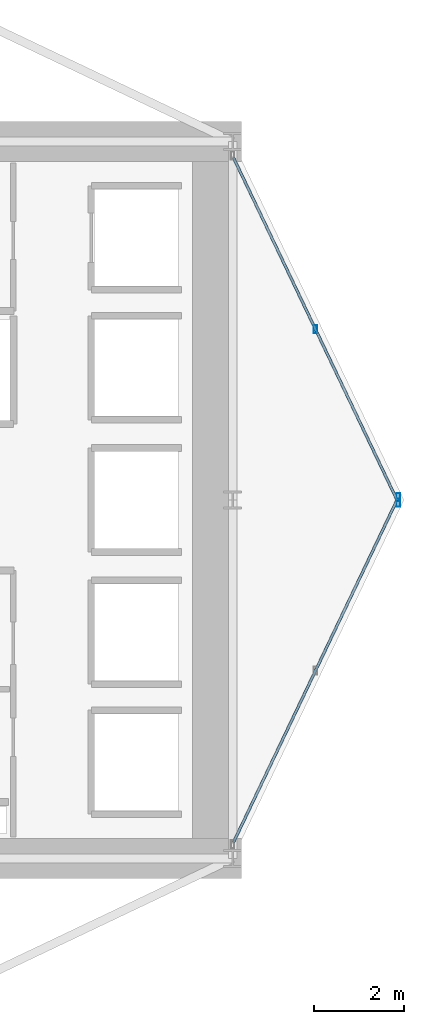
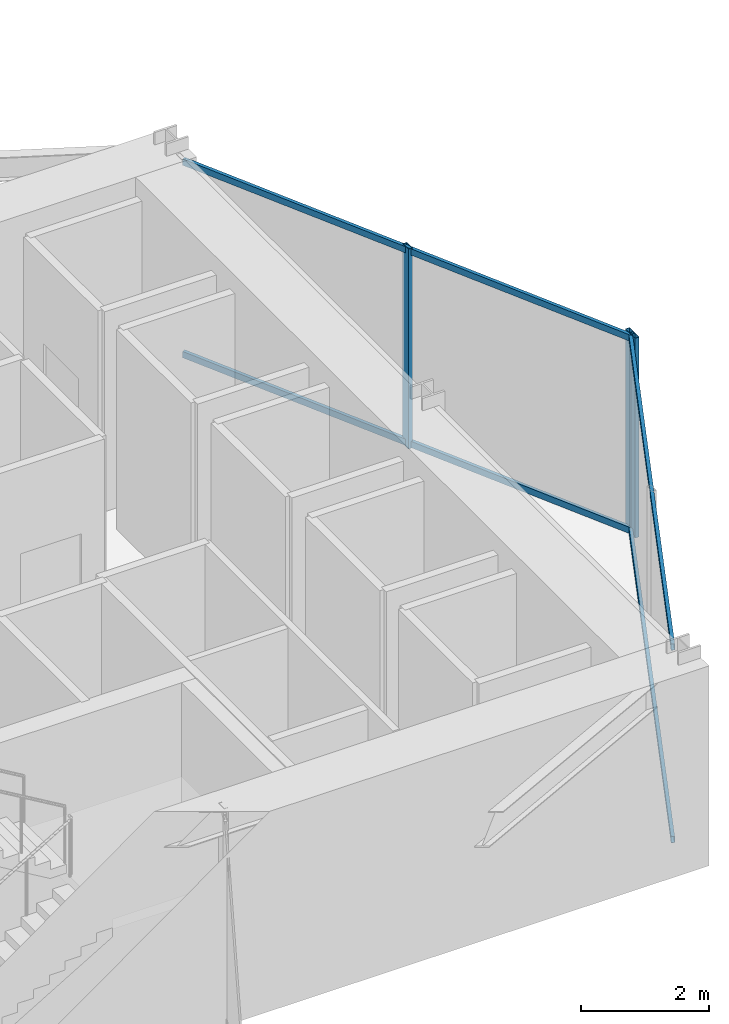
# One storey, part 15 of 24: 7 members, 2 elements without a shape of their own.
"""IFC4 building model written with IfcOpenShell, lengths in metres."""

from ifc_helpers import new_model, si_unit, direction, frame, origin, origin_2d, place, context, subcontext, project, spatial, hollow_rectangle, extrude, material, layer, layer_set, material_profile, profile_set, type_object, element, aggregate, save


model = new_model("IFC4")

# Units and contexts
model_context = context("Model", 3, precision=1e-05, world=origin(), true_north=direction((0.0, 1.0)))
body_context = subcontext(model_context, "Body", "Model", "MODEL_VIEW")
ifc_project = project(units=[si_unit("LENGTHUNIT", "METRE"), si_unit("AREAUNIT", "SQUARE_METRE"), si_unit("VOLUMEUNIT", "CUBIC_METRE"), si_unit("PLANEANGLEUNIT", "RADIAN"), si_unit("MASSUNIT", "GRAM", prefix="KILO")], contexts=[model_context])

# Site, building, storey
site_placement = place(None, origin())
site = spatial("IfcSite", under=ifc_project, at=site_placement, CompositionType="ELEMENT")
building_placement = place(site_placement, origin())
building = spatial("IfcBuilding", under=site, at=building_placement, Name="Veymaron Broadcast Tower", CompositionType="ELEMENT")
storey_placement = place(building_placement, frame((0.0, 0.0, 78.300048828125)))
storey = spatial("IfcBuildingStorey", under=building, at=storey_placement, Name="L17", CompositionType="ELEMENT", Elevation=78.300048828125)

# Curtain wall, member
ifc_material_1 = material(Name="Anodised aluminium AA 6063-T6 and laminated low-E dark glass", Category="aluminium")
ifc_layer = layer(ifc_material_1, 0.179931640625)
ifc_layer_set = layer_set([ifc_layer], Name="Anodised aluminium AA 6063-T6 and laminated low-E dark glass")
curtain_wall_type = type_object("IfcCurtainWallType", Name="CW-SYS-02", PredefinedType="NOTDEFINED", material=ifc_layer_set)
curtain_wall_1_placement = place(storey_placement, origin())
curtain_wall_1 = element("IfcCurtainWall", 1, at=curtain_wall_1_placement, inside=storey, type_object=curtain_wall_type, Name="L17 dark-glass curtain wall CW-L17-E2-1", PredefinedType="NOTDEFINED")
ifc_material_2 = material(Name="Anodised aluminium AA 6063-T6", Category="aluminium")
ifc_material_profile_1 = material_profile(ifc_material_2, hollow_rectangle(XDim=0.074951171875, YDim=0.179931640625, WallThickness=0.0048828125, at=origin_2d()), Name="AL180X75X5")
ifc_profile_set_1 = profile_set([ifc_material_profile_1], Name="Anodised aluminium AA 6063-T6")
member_type_1 = type_object("IfcMemberType", Name="CW-MUL-02", PredefinedType="MULLION", material=ifc_profile_set_1)
member_1_placement = place(storey_placement, frame((58.295654296875, 24.060302734375, 0.0), z_axis=(0.0, 0.0, 1.0), x_axis=(1.0, 0.0, 0.0)))
member_1 = element("IfcMember", 2, at=member_1_placement, type_object=member_type_1, Name="CW-L17-E2-1 mullion 2", PredefinedType="MULLION", context=body_context, shape_type="SweptSolid", body=[
    extrude(hollow_rectangle(XDim=0.074951171875, YDim=0.179931640625, WallThickness=0.0048828125, at=origin_2d()), origin(), (0.0, 0.0, 1.0), 3.81005859375),
])

# Curtain wall, members
curtain_wall_2_placement = place(storey_placement, origin())
curtain_wall_2 = element("IfcCurtainWall", 3, at=curtain_wall_2_placement, inside=storey, type_object=curtain_wall_type, Name="L17 dark-glass curtain wall CW-L17-E3-1", PredefinedType="NOTDEFINED")
member_2_placement = place(storey_placement, frame((58.295654296875, 23.939697265625, 0.0), z_axis=(0.0, 0.0, 1.0), x_axis=(1.0, 0.0, 0.0)))
member_2 = element("IfcMember", 4, at=member_2_placement, type_object=member_type_1, Name="CW-L17-E3-1 mullion 0", PredefinedType="MULLION", context=body_context, shape_type="SweptSolid", body=[
    extrude(hollow_rectangle(XDim=0.074951171875, YDim=0.179931640625, WallThickness=0.0048828125, at=origin_2d()), origin(), (0.0, 0.0, 1.0), 3.81005859375),
])
member_3_placement = place(storey_placement, frame((56.446044921875, 27.811279296875, 0.0), z_axis=(0.0, 0.0, 1.0), x_axis=(1.0, 0.0, 0.0)))
member_3 = element("IfcMember", 5, at=member_3_placement, type_object=member_type_1, Name="CW-L17-E3-1 mullion 1", PredefinedType="MULLION", context=body_context, shape_type="SweptSolid", body=[
    extrude(hollow_rectangle(XDim=0.074951171875, YDim=0.179931640625, WallThickness=0.0048828125, at=origin_2d()), origin(), (0.0, 0.0, 1.0), 3.81005859375),
])

# Member
ifc_material_profile_2 = material_profile(ifc_material_2, hollow_rectangle(XDim=0.06005859375, YDim=0.1201171875, WallThickness=0.00390625, at=origin_2d()), Name="AL120X60X4")
ifc_profile_set_2 = profile_set([ifc_material_profile_2], Name="Anodised aluminium AA 6063-T6")
member_type_2 = type_object("IfcMemberType", Name="CW-TRN-02", PredefinedType="USERDEFINED", material=ifc_profile_set_2)
member_4_placement = place(storey_placement, frame((54.617919921875, 16.362060546875, 0.070068359375), z_axis=(0.431068424187, 0.902319241548, 0.0), x_axis=(-0.902319241548, 0.431068424187, 0.0)))
member_4 = element("IfcMember", 6, at=member_4_placement, type_object=member_type_2, Name="CW-L17-E2-1 transom B", ObjectType="TRANSOM", PredefinedType="USERDEFINED", context=body_context, shape_type="SweptSolid", body=[
    extrude(hollow_rectangle(XDim=0.06005859375, YDim=0.1201171875, WallThickness=0.00390625, at=origin_2d()), origin(), (0.0, 0.0, 1.0), 8.48193359375),
])

member_5_placement = place(storey_placement, frame((54.617919921875, 16.362060546875, 3.739990234375), z_axis=(0.431068424187, 0.902319241548, 0.0), x_axis=(-0.902319241548, 0.431068424187, 0.0)))
member_5 = element("IfcMember", 7, at=member_5_placement, type_object=member_type_2, Name="CW-L17-E2-1 transom T", ObjectType="TRANSOM", PredefinedType="USERDEFINED", context=body_context, shape_type="SweptSolid", body=[
    extrude(hollow_rectangle(XDim=0.06005859375, YDim=0.1201171875, WallThickness=0.00390625, at=origin_2d()), origin(), (0.0, 0.0, 1.0), 8.48193359375),
])

aggregate(curtain_wall_1, [member_1, member_4, member_5])

member_6_placement = place(storey_placement, frame((58.274169921875, 23.984619140625, 0.070068359375), z_axis=(-0.431068424187, 0.902319241548, 0.0), x_axis=(-0.902319241548, -0.431068424187, 0.0)))
member_6 = element("IfcMember", 8, at=member_6_placement, type_object=member_type_2, Name="CW-L17-E3-1 transom B", ObjectType="TRANSOM", PredefinedType="USERDEFINED", context=body_context, shape_type="SweptSolid", body=[
    extrude(hollow_rectangle(XDim=0.06005859375, YDim=0.1201171875, WallThickness=0.00390625, at=origin_2d()), origin(), (0.0, 0.0, 1.0), 8.48193359375),
])

member_7_placement = place(storey_placement, frame((58.274169921875, 23.984619140625, 3.739990234375), z_axis=(-0.431068424187, 0.902319241548, 0.0), x_axis=(-0.902319241548, -0.431068424187, 0.0)))
member_7 = element("IfcMember", 9, at=member_7_placement, type_object=member_type_2, Name="CW-L17-E3-1 transom T", ObjectType="TRANSOM", PredefinedType="USERDEFINED", context=body_context, shape_type="SweptSolid", body=[
    extrude(hollow_rectangle(XDim=0.06005859375, YDim=0.1201171875, WallThickness=0.00390625, at=origin_2d()), origin(), (0.0, 0.0, 1.0), 8.48193359375),
])

aggregate(curtain_wall_2, [member_2, member_3, member_6, member_7])

save(model, "model.ifc")
